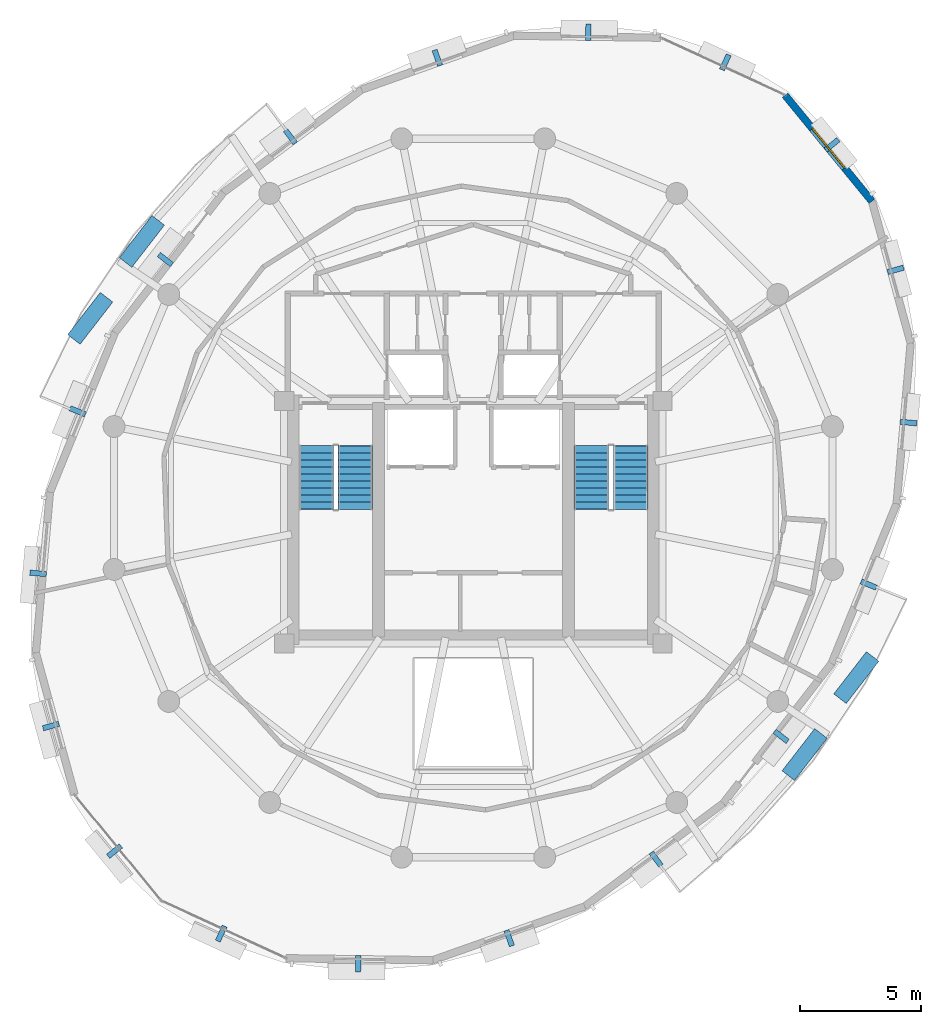
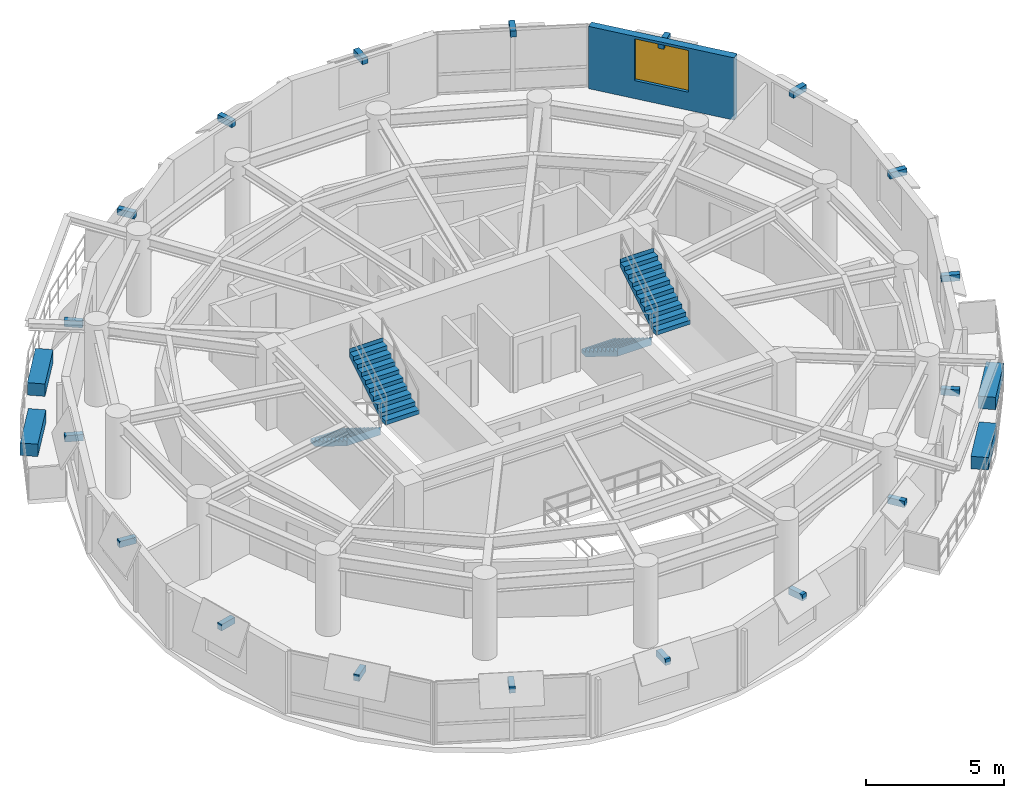
# One storey, part 9 of 11: 22 discrete accessories, 4 stair flights, 1 wall, 1 window, 1 opening, 2 elements without a shape of their own.
"""IFC4 building model written with IfcOpenShell, lengths in metres."""

from ifc_helpers import new_model, si_unit, direction, frame, frame_2d, origin, origin_2d, place, context, subcontext, project, spatial, polyline, rectangle, outline, extrude, material, layer, layer_set, type_object, element, fill, aggregate, save


model = new_model("IFC4")

# Units and contexts
model_context = context("Model", 3, precision=1e-05, world=origin(), true_north=direction((0.0, 1.0)))
body_context = subcontext(model_context, "Body", "Model", "MODEL_VIEW")
ifc_project = project(units=[si_unit("LENGTHUNIT", "METRE"), si_unit("AREAUNIT", "SQUARE_METRE"), si_unit("VOLUMEUNIT", "CUBIC_METRE"), si_unit("PLANEANGLEUNIT", "RADIAN"), si_unit("MASSUNIT", "GRAM", prefix="KILO"), si_unit("THERMODYNAMICTEMPERATUREUNIT", "KELVIN"), si_unit("POWERUNIT", "WATT")], contexts=[model_context])

# Site, building, storey
site_placement = place(None, origin())
site = spatial("IfcSite", under=ifc_project, at=site_placement, CompositionType="ELEMENT")
building_placement = place(site_placement, origin())
building = spatial("IfcBuilding", under=site, at=building_placement, Name="Ocrelia Relay Tower", CompositionType="ELEMENT")
storey_placement = place(building_placement, frame((0.0, 0.0, 248.39990234375)))
storey = spatial("IfcBuildingStorey", under=building, at=storey_placement, Name="L61", CompositionType="ELEMENT", Elevation=248.39990234375)

# Wall, opening, window
ifc_material_1 = material(Name="Precast concrete C40/50 with oxide terracotta", Category="masonry")
ifc_layer = layer(ifc_material_1, 0.300048828125, Name="Precast concrete C40/50 with oxide terracotta")
ifc_layer_set = layer_set([ifc_layer], Name="Precast concrete C40/50 with oxide terracotta")
wall_type = type_object("IfcWallType", Name="W-EXT-TERR-300", PredefinedType="SOLIDWALL", material=ifc_layer_set)
wall_placement = place(storey_placement, frame((50.435302734375, 38.23193359375, 0.0), z_axis=(0.0, 0.0, 1.0), x_axis=(-0.633350724639, 0.773864884588, 0.0)))
wall = element("IfcWall", 1, at=wall_placement, inside=storey, type_object=wall_type, Name="L61 Oxide Terracotta Facade Wall 18", PredefinedType="SOLIDWALL", context=body_context, shape_type="SweptSolid", body=[
    extrude(rectangle(XDim=5.650390625, YDim=0.300048828125, at=frame_2d((2.8251953125, 0.0))), origin(), (0.0, 0.0, 1.0), 2.760009765625),
])
opening_placement = place(wall_placement, frame((1.77490234375, 0.0, 0.800048828125)))
opening = element("IfcOpeningElement", 2, at=opening_placement, cuts=wall, Name="Opening W-07", PredefinedType="OPENING", context=body_context, shape_type="SweptSolid", body=[
    extrude(rectangle(XDim=2.10009765625, YDim=1.85009765625, at=frame_2d((1.050048828125, 0.925048828125))), frame((0.0, 0.16015625, 0.0), z_axis=(0.0, -1.0, 0.0), x_axis=(1.0, 0.0, 0.0)), (0.0, 0.0, 1.0), 0.320068359375),
])
ifc_material_2 = material(Name="Clear double-glazed low-E glass", Category="glass")
window_type = type_object("IfcWindowType", Name="WIN-Z4-2100x2200", PartitioningType="DOUBLE_PANEL_VERTICAL", PredefinedType="WINDOW", material=ifc_material_2)
window_placement = place(opening_placement, origin())
window = element("IfcWindow", 3, at=window_placement, inside=storey, type_object=window_type, Name="L61 Facade Module Window 18", OverallHeight=1.85009765625, OverallWidth=2.10009765625, PartitioningType="SINGLE_PANEL", PredefinedType="WINDOW", context=body_context, shape_type="SweptSolid", body=[
    extrude(rectangle(XDim=2.10009765625, YDim=1.85009765625, at=frame_2d((1.050048828125, 0.925048828125))), frame((0.0, 0.030029296875, 0.0), z_axis=(0.0, -1.0, 0.0), x_axis=(1.0, 0.0, 0.0)), (0.0, 0.0, 1.0), 0.06005859375),
])
fill(opening, window)

# Stair, stair flights
ifc_material_3 = material(Name="Concrete C50/60", Category="concrete")
stair_type = type_object("IfcStairType", Name="ST-DL-1420-R180", PredefinedType="HALF_TURN_STAIR", material=ifc_material_3)
stair_1_placement = place(storey_placement, origin())
stair_1 = element("IfcStair", 4, at=stair_1_placement, inside=storey, type_object=stair_type, Name="L61 West Core Exit Stair ST1", PredefinedType="HALF_TURN_STAIR")
stair_flight_type = type_object("IfcStairFlightType", Name="STF-DL-1420-R180", PredefinedType="STRAIGHT", material=ifc_material_3)
stair_flight_1_placement = place(storey_placement, frame((27.52001953125, 28.14990234375, 0.0), z_axis=(0.0, 0.0, 1.0), x_axis=(0.0, -1.0, 0.0)))
stair_flight_1 = element("IfcStairFlight", 5, at=stair_flight_1_placement, type_object=stair_flight_type, Name="ST1 flight 1", NumberOfRisers=10, NumberOfTreads=9, PredefinedType="STRAIGHT", RiserHeight=0.18, TreadLength=0.29, context=body_context, shape_type="SweptSolid", body=[
    extrude(outline(polyline([(-0.008056640625, 0.0), (-0.008056640625, 0.179931640625), (0.0, 0.179931640625), (0.2900390625, 0.179931640625), (0.2900390625, 0.360107421875), (0.580078125, 0.360107421875), (0.580078125, 0.5400390625), (0.8701171875, 0.5400390625), (0.8701171875, 0.719970703125), (1.159912109375, 0.719970703125), (1.159912109375, 0.89990234375), (1.449951171875, 0.89990234375), (1.449951171875, 1.080078125), (1.739990234375, 1.080078125), (1.739990234375, 1.260009765625), (2.030029296875, 1.260009765625), (2.030029296875, 1.43994140625), (2.320068359375, 1.43994140625), (2.320068359375, 1.6201171875), (2.610107421875, 1.6201171875), (2.610107421875, 1.800048828125), (2.617919921875, 1.800048828125), (2.617919921875, 1.443603515625), (0.2841796875, 0.0), (-0.008056640625, 0.0)])), frame((0.0, 0.7099609375, 0.0), z_axis=(0.0, -1.0, 0.0), x_axis=(1.0, 0.0, 0.0)), (0.0, 0.0, 1.0), 1.419921875),
])
stair_flight_2_placement = place(storey_placement, frame((29.139892578125, 25.5400390625, 1.800048828125), z_axis=(0.0, 0.0, 1.0), x_axis=(0.0, 1.0, 0.0)))
stair_flight_2 = element("IfcStairFlight", 6, at=stair_flight_2_placement, type_object=stair_flight_type, Name="ST1 flight 2", NumberOfRisers=10, NumberOfTreads=9, PredefinedType="STRAIGHT", RiserHeight=0.18, TreadLength=0.29, context=body_context, shape_type="SweptSolid", body=[
    extrude(outline(polyline([(-0.008056640625, 0.0), (-0.008056640625, 0.179931640625), (0.0, 0.179931640625), (0.2900390625, 0.179931640625), (0.2900390625, 0.360107421875), (0.580078125, 0.360107421875), (0.580078125, 0.5400390625), (0.8701171875, 0.5400390625), (0.8701171875, 0.719970703125), (1.159912109375, 0.719970703125), (1.159912109375, 0.89990234375), (1.449951171875, 0.89990234375), (1.449951171875, 1.080078125), (1.739990234375, 1.080078125), (1.739990234375, 1.260009765625), (2.030029296875, 1.260009765625), (2.030029296875, 1.43994140625), (2.320068359375, 1.43994140625), (2.320068359375, 1.6201171875), (2.610107421875, 1.6201171875), (2.610107421875, 1.800048828125), (2.617919921875, 1.800048828125), (2.617919921875, 1.443603515625), (0.2841796875, 0.0), (-0.008056640625, 0.0)])), frame((0.0, 0.7099609375, 0.0), z_axis=(0.0, -1.0, 0.0), x_axis=(1.0, 0.0, 0.0)), (0.0, 0.0, 1.0), 1.419921875),
])
aggregate(stair_1, [stair_flight_1, stair_flight_2])

stair_2_placement = place(storey_placement, origin())
stair_2 = element("IfcStair", 7, at=stair_2_placement, inside=storey, type_object=stair_type, Name="L61 East Core Exit Stair ST2", PredefinedType="HALF_TURN_STAIR")
stair_flight_3_placement = place(storey_placement, frame((38.8701171875, 28.14990234375, 0.0), z_axis=(0.0, 0.0, 1.0), x_axis=(0.0, -1.0, 0.0)))
stair_flight_3 = element("IfcStairFlight", 8, at=stair_flight_3_placement, type_object=stair_flight_type, Name="ST2 flight 1", NumberOfRisers=10, NumberOfTreads=9, PredefinedType="STRAIGHT", RiserHeight=0.18, TreadLength=0.29, context=body_context, shape_type="SweptSolid", body=[
    extrude(outline(polyline([(-0.008056640625, 0.0), (-0.008056640625, 0.179931640625), (0.0, 0.179931640625), (0.2900390625, 0.179931640625), (0.2900390625, 0.360107421875), (0.580078125, 0.360107421875), (0.580078125, 0.5400390625), (0.8701171875, 0.5400390625), (0.8701171875, 0.719970703125), (1.159912109375, 0.719970703125), (1.159912109375, 0.89990234375), (1.449951171875, 0.89990234375), (1.449951171875, 1.080078125), (1.739990234375, 1.080078125), (1.739990234375, 1.260009765625), (2.030029296875, 1.260009765625), (2.030029296875, 1.43994140625), (2.320068359375, 1.43994140625), (2.320068359375, 1.6201171875), (2.610107421875, 1.6201171875), (2.610107421875, 1.800048828125), (2.617919921875, 1.800048828125), (2.617919921875, 1.443603515625), (0.2841796875, 0.0), (-0.008056640625, 0.0)])), frame((0.0, 0.7099609375, 0.0), z_axis=(0.0, -1.0, 0.0), x_axis=(1.0, 0.0, 0.0)), (0.0, 0.0, 1.0), 1.419921875),
])
stair_flight_4_placement = place(storey_placement, frame((40.489990234375, 25.5400390625, 1.800048828125), z_axis=(0.0, 0.0, 1.0), x_axis=(0.0, 1.0, 0.0)))
stair_flight_4 = element("IfcStairFlight", 9, at=stair_flight_4_placement, type_object=stair_flight_type, Name="ST2 flight 2", NumberOfRisers=10, NumberOfTreads=9, PredefinedType="STRAIGHT", RiserHeight=0.18, TreadLength=0.29, context=body_context, shape_type="SweptSolid", body=[
    extrude(outline(polyline([(-0.008056640625, 0.0), (-0.008056640625, 0.179931640625), (0.0, 0.179931640625), (0.2900390625, 0.179931640625), (0.2900390625, 0.360107421875), (0.580078125, 0.360107421875), (0.580078125, 0.5400390625), (0.8701171875, 0.5400390625), (0.8701171875, 0.719970703125), (1.159912109375, 0.719970703125), (1.159912109375, 0.89990234375), (1.449951171875, 0.89990234375), (1.449951171875, 1.080078125), (1.739990234375, 1.080078125), (1.739990234375, 1.260009765625), (2.030029296875, 1.260009765625), (2.030029296875, 1.43994140625), (2.320068359375, 1.43994140625), (2.320068359375, 1.6201171875), (2.610107421875, 1.6201171875), (2.610107421875, 1.800048828125), (2.617919921875, 1.800048828125), (2.617919921875, 1.443603515625), (0.2841796875, 0.0), (-0.008056640625, 0.0)])), frame((0.0, 0.7099609375, 0.0), z_axis=(0.0, -1.0, 0.0), x_axis=(1.0, 0.0, 0.0)), (0.0, 0.0, 1.0), 1.419921875),
])
aggregate(stair_2, [stair_flight_3, stair_flight_4])

# Discrete accessories
ifc_material_4 = material(Name="Precast concrete C40/50 planter with highland greenery", Category="concrete")
discrete_accessory_type_1 = type_object("IfcDiscreteAccessoryType", Name="ACC-BALC-PLANTER", PredefinedType="USERDEFINED", material=ifc_material_4)
for number, where, z_axis, x_axis, name in (
    (10, (20.339111328125, 36.577392578125, 0.0), (0.0, 0.0, 1.0), (0.612208863669, 0.790696090318, 0.0), "L61 Balcony Terracotta Planter with Greenery B1"),
    (11, (18.20751953125, 33.405517578125, 0.0), (0.0, 0.0, 1.0), (0.612208863669, 0.790696090318, 0.0), "L61 Balcony Terracotta Planter B1-2"),
    (12, (47.660888671875, 15.422607421875, 0.0), (0.0, 0.0, 1.0), (-0.612208863669, -0.790696090318, 0.0), "L61 Balcony Terracotta Planter with Greenery B2"),
    (13, (49.79248046875, 18.594482421875, 0.0), (0.0, 0.0, 1.0), (-0.612208863669, -0.790696090318, 0.0), "L61 Balcony Terracotta Planter B2-2"),
):
    element("IfcDiscreteAccessory", number, at=place(storey_placement, frame(where, z_axis=z_axis, x_axis=x_axis)), inside=storey, type_object=discrete_accessory_type_1, Name=name, ObjectType="PLANTER", PredefinedType="USERDEFINED", context=body_context, shape_type="SweptSolid", body=[
        extrude(rectangle(XDim=2.199951171875, YDim=0.64990234375, at=origin_2d()), origin(), (0.0, 0.0, 1.0), 0.550048828125),
    ])
ifc_material_5 = material(Name="Steel S355", Category="steel")
discrete_accessory_type_2 = type_object("IfcDiscreteAccessoryType", Name="ACC-VISOR-BRACKET", PredefinedType="BRACKET", material=ifc_material_5)
for number, where, z_axis, x_axis, name in (
    (14, (44.39208984375, 43.96240234375, 2.4599609375), (0.0, 0.0, 1.0), (-0.907795628133, 0.41941280088, 0.0), "L61 Visor Mounting Bracket 01"),
    (15, (38.74462890625, 45.208984375, 2.4599609375), (0.0, 0.0, 1.0), (-0.999910282384, 0.013395043205, 0.0), "L61 Visor Mounting Bracket 02"),
    (16, (32.5185546875, 44.146240234375, 2.4599609375), (0.0, 0.0, 1.0), (-0.942663340426, -0.333745152199, 0.0), "L61 Visor Mounting Bracket 03"),
    (17, (26.45947265625, 40.892822265625, 2.4599609375), (0.0, 0.0, 1.0), (-0.8022089569, -0.597043373189, 0.0), "L61 Visor Mounting Bracket 04"),
    (18, (21.30517578125, 35.829345703125, 2.4599609375), (0.0, 0.0, 1.0), (-0.612212461871, -0.790693304341, 0.0), "L61 Visor Mounting Bracket 05"),
    (19, (17.693603515625, 29.571533203125, 2.4599609375), (0.0, 0.0, 1.0), (-0.377177240106, -0.926141095917, 0.0), "L61 Visor Mounting Bracket 06"),
    (20, (16.060791015625, 22.890869140625, 2.4599609375), (0.0, 0.0, 1.0), (-0.087097298209, -0.996199809599, 0.0), "L61 Visor Mounting Bracket 07"),
    (21, (16.5908203125, 16.596923828125, 2.4599609375), (0.0, 0.0, 1.0), (0.263335154155, -0.964704408918, 0.0), "L61 Visor Mounting Bracket 08"),
    (22, (19.211669921875, 11.44140625, 2.4599609375), (0.0, 0.0, 1.0), (0.63334572525, -0.773868976189, 0.0), "L61 Visor Mounting Bracket 09"),
    (23, (23.60791015625, 8.03759765625, 2.4599609375), (0.0, 0.0, 1.0), (0.907795628133, -0.41941280088, 0.0), "L61 Visor Mounting Bracket 10"),
    (24, (29.25537109375, 6.791015625, 2.4599609375), (0.0, 0.0, 1.0), (0.999910282384, -0.013395043205, 0.0), "L61 Visor Mounting Bracket 11"),
    (25, (35.4814453125, 7.853759765625, 2.4599609375), (0.0, 0.0, 1.0), (0.942663340426, 0.333745152199, 0.0), "L61 Visor Mounting Bracket 12"),
    (26, (41.54052734375, 11.107177734375, 2.4599609375), (0.0, 0.0, 1.0), (0.8022089569, 0.597043373189, 0.0), "L61 Visor Mounting Bracket 13"),
    (27, (46.69482421875, 16.170654296875, 2.4599609375), (0.0, 0.0, 1.0), (0.612212461871, 0.790693304341, 0.0), "L61 Visor Mounting Bracket 14"),
    (28, (50.306396484375, 22.428466796875, 2.4599609375), (0.0, 0.0, 1.0), (0.377177240106, 0.926141095917, 0.0), "L61 Visor Mounting Bracket 15"),
    (29, (51.939208984375, 29.109130859375, 2.4599609375), (0.0, 0.0, 1.0), (0.087097298209, 0.996199809599, 0.0), "L61 Visor Mounting Bracket 16"),
    (30, (51.4091796875, 35.403076171875, 2.4599609375), (0.0, 0.0, 1.0), (-0.263335154155, 0.964704408918, 0.0), "L61 Visor Mounting Bracket 17"),
    (31, (48.788330078125, 40.55859375, 2.4599609375), (0.0, 0.0, 1.0), (-0.63334572525, 0.773868976189, 0.0), "L61 Visor Mounting Bracket 18"),
):
    element("IfcDiscreteAccessory", number, at=place(storey_placement, frame(where, z_axis=z_axis, x_axis=x_axis)), inside=storey, type_object=discrete_accessory_type_2, Name=name, PredefinedType="BRACKET", context=body_context, shape_type="SweptSolid", body=[
        extrude(rectangle(XDim=0.219970703125, YDim=0.679931640625, at=origin_2d()), origin(), (0.0, 0.0, 1.0), 0.280029296875),
    ])

save(model, "model.ifc")
